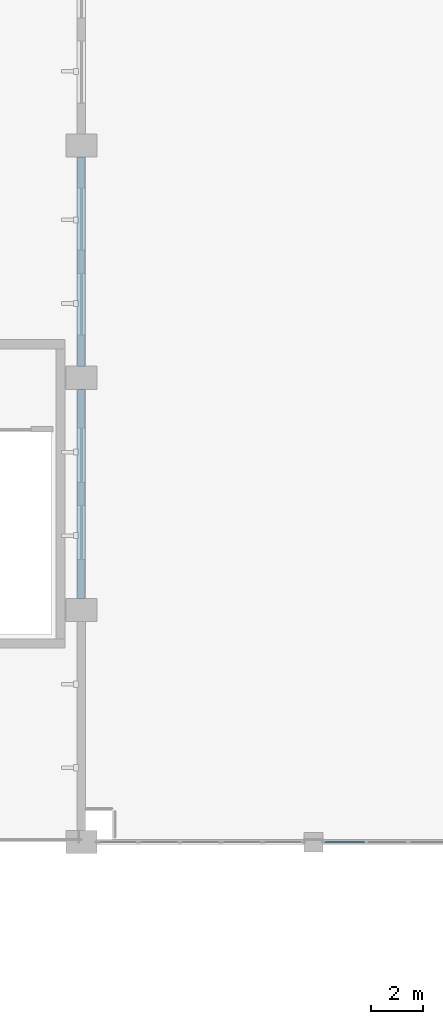
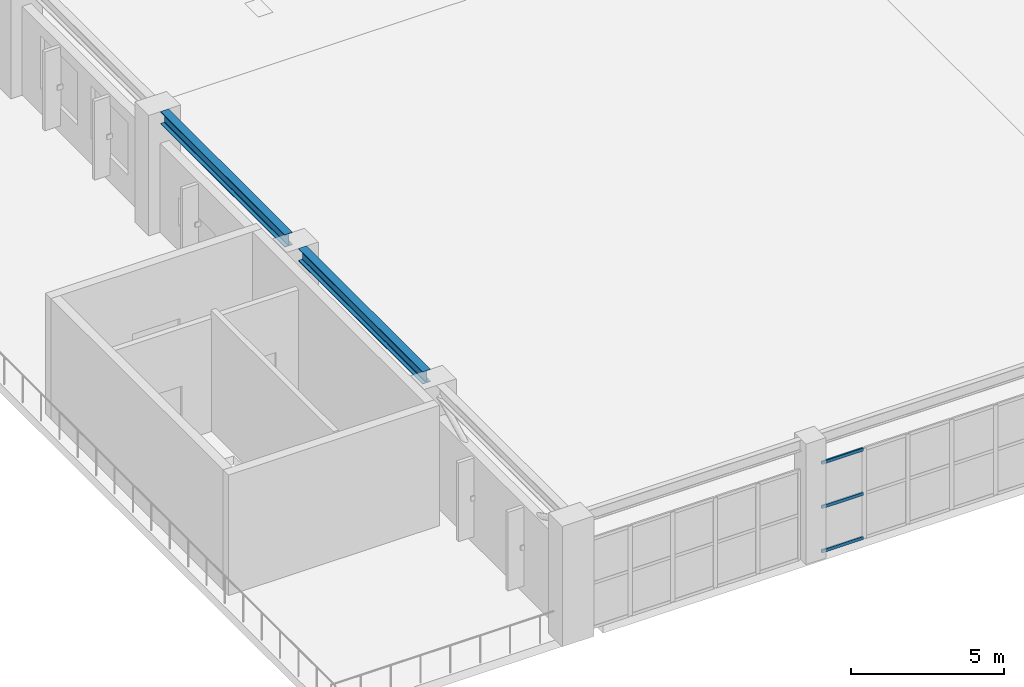
# One storey, part 5 of 89: 3 members, 2 beams, 1 element without a shape of its own.
"""IFC4 building model written with IfcOpenShell, lengths in metres."""

from ifc_helpers import new_model, si_unit, direction, frame, origin, origin_2d, place, context, subcontext, project, spatial, hollow_rectangle, i_section, extrude, material, layer, layer_set, material_profile, profile_set, type_object, element, aggregate, save


model = new_model("IFC4")

# Units and contexts
model_context = context("Model", 3, precision=1e-05, world=origin(), true_north=direction((0.0, 1.0)))
body_context = subcontext(model_context, "Body", "Model", "MODEL_VIEW")
ifc_project = project(units=[si_unit("LENGTHUNIT", "METRE"), si_unit("AREAUNIT", "SQUARE_METRE"), si_unit("VOLUMEUNIT", "CUBIC_METRE"), si_unit("PLANEANGLEUNIT", "RADIAN"), si_unit("MASSUNIT", "GRAM", prefix="KILO")], contexts=[model_context])

# Site, building, storey
site_placement = place(None, origin())
site = spatial("IfcSite", under=ifc_project, at=site_placement, CompositionType="ELEMENT")
building_placement = place(site_placement, origin())
building = spatial("IfcBuilding", under=site, at=building_placement, Name="Dornveld Trade and Exhibition Forum", CompositionType="ELEMENT")
storey_placement = place(building_placement, frame((0.0, 0.0, 12.0)))
storey = spatial("IfcBuildingStorey", under=building, at=storey_placement, Name="L02", CompositionType="ELEMENT", Elevation=12.0)

# Beams
ifc_material_1 = material(Name="Steel S355J2", Category="steel")
ifc_material_profile_1 = material_profile(ifc_material_1, i_section(OverallWidth=0.300048828125, OverallDepth=0.5, WebThickness=0.014404296875, FlangeThickness=0.028076171875, FilletRadius=0.027099609375, at=origin_2d()), Name="HEB 500")
ifc_profile_set_1 = profile_set([ifc_material_profile_1], Name="Steel S355J2")
beam_type = type_object("IfcBeamType", Name="BM-GIR-HEB500", PredefinedType="USERDEFINED", material=ifc_profile_set_1)
for number, where, z_axis, x_axis, name in (
    (1, (27.0, 45.446044921875, 4.550048828125), (0.0, 1.0, 0.0), (-1.0, 0.0, 0.0), "L02 Y-girder 1446"),
    (2, (27.0, 54.446044921875, 4.550048828125), (0.0, 1.0, 0.0), (-1.0, 0.0, 0.0), "L02 Y-girder 1447"),
):
    element("IfcBeam", number, at=place(storey_placement, frame(where, z_axis=z_axis, x_axis=x_axis)), inside=storey, type_object=beam_type, Name=name, ObjectType="GIRDER", PredefinedType="USERDEFINED", context=body_context, shape_type="SweptSolid", body=[
        extrude(i_section(OverallWidth=0.300048828125, OverallDepth=0.5, WebThickness=0.014404296875, FlangeThickness=0.028076171875, FilletRadius=0.027099609375, at=origin_2d()), origin(), (0.0, 0.0, 1.0), 8.10791015625),
    ])

# Curtain wall, members
ifc_material_2 = material(Name="Dark-bronze anodised aluminium and low-E glass", Category="aluminium")
ifc_layer = layer(ifc_material_2, 0.15087890625)
ifc_layer_set = layer_set([ifc_layer], Name="Dark-bronze anodised aluminium and low-E glass")
curtain_wall_type = type_object("IfcCurtainWallType", Name="CW-SYS-03", PredefinedType="USERDEFINED", material=ifc_layer_set)
curtain_wall_placement = place(storey_placement, origin())
curtain_wall = element("IfcCurtainWall", 3, at=curtain_wall_placement, inside=storey, type_object=curtain_wall_type, Name="L02 unitised curtain wall 21", ObjectType="UNITISED_CURTAIN_WALL", PredefinedType="USERDEFINED")
ifc_material_3 = material(Name="Dark-bronze anodised aluminium", Category="aluminium")
ifc_material_profile_2 = material_profile(ifc_material_3, hollow_rectangle(XDim=0.06005859375, YDim=0.1201171875, WallThickness=0.00390625, at=origin_2d()), Name="RHS 120x60x4")
ifc_profile_set_2 = profile_set([ifc_material_profile_2], Name="Dark-bronze anodised aluminium")
member_type = type_object("IfcMemberType", Name="CW-TRN-120", PredefinedType="USERDEFINED", material=ifc_profile_set_2)
member_1_placement = place(storey_placement, frame((36.430908203125, 36.0, 0.02587890625), z_axis=(1.0, 0.0, 0.0), x_axis=(0.0, 1.0, 0.0)))
member_1 = element("IfcMember", 4, at=member_1_placement, type_object=member_type, Name="CW-03 transom 1.1", ObjectType="TRANSOM", PredefinedType="USERDEFINED", context=body_context, shape_type="SweptSolid", body=[
    extrude(hollow_rectangle(XDim=0.06005859375, YDim=0.1201171875, WallThickness=0.00390625, at=origin_2d()), origin(), (0.0, 0.0, 1.0), 1.561767578125),
])
member_2_placement = place(storey_placement, frame((36.430908203125, 36.0, 1.7880859375), z_axis=(1.0, 0.0, 0.0), x_axis=(0.0, 1.0, 0.0)))
member_2 = element("IfcMember", 5, at=member_2_placement, type_object=member_type, Name="CW-03 transom 1.2", ObjectType="TRANSOM", PredefinedType="USERDEFINED", context=body_context, shape_type="SweptSolid", body=[
    extrude(hollow_rectangle(XDim=0.06005859375, YDim=0.1201171875, WallThickness=0.00390625, at=origin_2d()), origin(), (0.0, 0.0, 1.0), 1.561767578125),
])
member_3_placement = place(storey_placement, frame((36.430908203125, 36.0, 3.550048828125), z_axis=(1.0, 0.0, 0.0), x_axis=(0.0, 1.0, 0.0)))
member_3 = element("IfcMember", 6, at=member_3_placement, type_object=member_type, Name="CW-03 transom 1.3", ObjectType="TRANSOM", PredefinedType="USERDEFINED", context=body_context, shape_type="SweptSolid", body=[
    extrude(hollow_rectangle(XDim=0.06005859375, YDim=0.1201171875, WallThickness=0.00390625, at=origin_2d()), origin(), (0.0, 0.0, 1.0), 1.561767578125),
])
aggregate(curtain_wall, [member_1, member_2, member_3])

save(model, "model.ifc")
